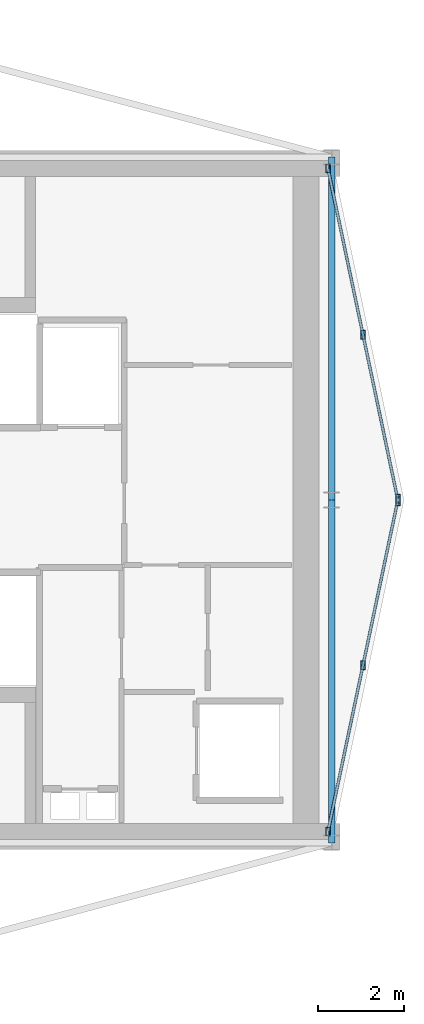
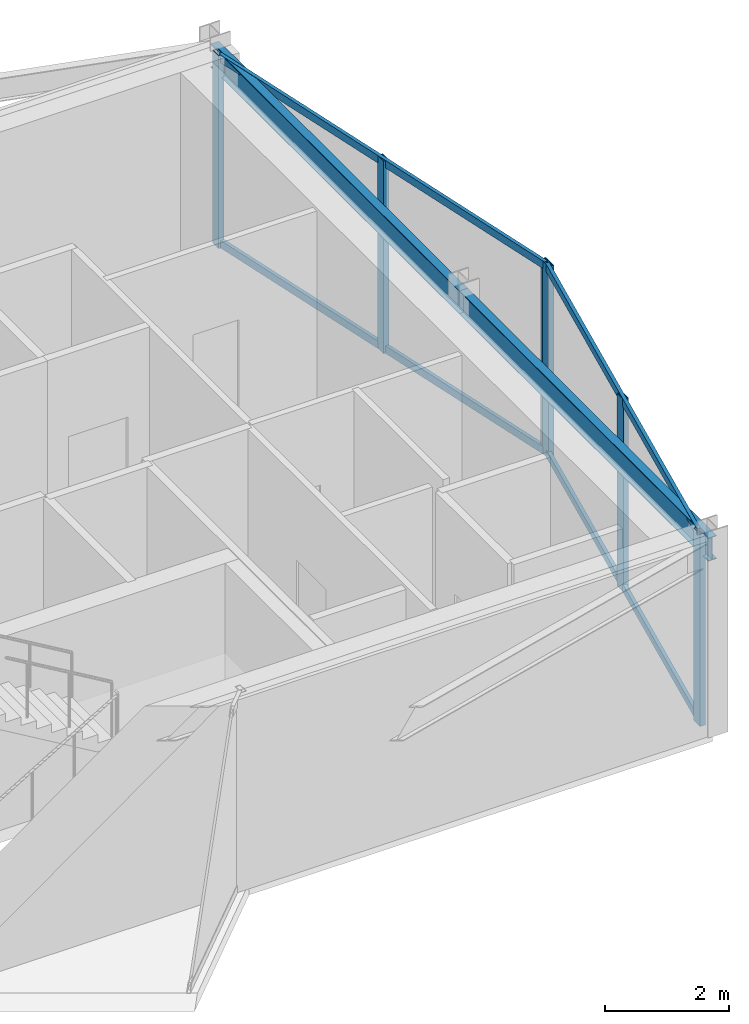
# One storey, part 7 of 13: 10 members, 2 beams, 2 elements without a shape of their own.
"""IFC4 building model written with IfcOpenShell, lengths in metres."""

from ifc_helpers import new_model, si_unit, direction, frame, origin, origin_2d, place, context, subcontext, project, spatial, hollow_rectangle, i_section, extrude, material, layer, layer_set, material_profile, profile_set, type_object, element, aggregate, save


model = new_model("IFC4")

# Units and contexts
model_context = context("Model", 3, precision=1e-05, world=origin(), true_north=direction((0.0, 1.0)))
body_context = subcontext(model_context, "Body", "Model", "MODEL_VIEW")
ifc_project = project(units=[si_unit("LENGTHUNIT", "METRE"), si_unit("AREAUNIT", "SQUARE_METRE"), si_unit("VOLUMEUNIT", "CUBIC_METRE"), si_unit("PLANEANGLEUNIT", "RADIAN"), si_unit("MASSUNIT", "GRAM", prefix="KILO")], contexts=[model_context])

# Site, building, storey
site_placement = place(None, origin())
site = spatial("IfcSite", under=ifc_project, at=site_placement, CompositionType="ELEMENT")
building_placement = place(site_placement, origin())
building = spatial("IfcBuilding", under=site, at=building_placement, Name="Veymaron Broadcast Tower", CompositionType="ELEMENT")
storey_placement = place(building_placement, frame((0.0, 0.0, 311.39990234375)))
storey = spatial("IfcBuildingStorey", under=building, at=storey_placement, Name="L73", CompositionType="ELEMENT", Elevation=311.39990234375)

# Beams
ifc_material_1 = material(Name="Structural steel ASTM A992 Gr 50", Category="steel")
ifc_material_profile_1 = material_profile(ifc_material_1, i_section(OverallWidth=0.154052734375, OverallDepth=0.458984375, WebThickness=0.009033203125, FlangeThickness=0.015380859375, at=origin_2d()), Name="W460X68")
ifc_profile_set_1 = profile_set([ifc_material_profile_1], Name="Structural steel ASTM A992 Gr 50")
beam_type = type_object("IfcBeamType", Name="BM-SP2", PredefinedType="SPANDREL", material=ifc_profile_set_1)
for number, where, z_axis, x_axis, name in (
    (1, (54.60009765625, 16.0, 3.550537109375), (0.0, 1.0, 0.0), (-1.0, 0.0, 0.0), "L73 primary structural floor girder"),
    (2, (54.60009765625, 24.0, 3.550537109375), (0.0, 1.0, 0.0), (-1.0, 0.0, 0.0), "L73 primary structural floor girder"),
):
    element("IfcBeam", number, at=place(storey_placement, frame(where, z_axis=z_axis, x_axis=x_axis)), inside=storey, type_object=beam_type, Name=name, PredefinedType="SPANDREL", context=body_context, shape_type="SweptSolid", body=[
        extrude(i_section(OverallWidth=0.154052734375, OverallDepth=0.458984375, WebThickness=0.009033203125, FlangeThickness=0.015380859375, at=origin_2d()), origin(), (0.0, 0.0, 1.0), 8.0),
    ])

# Curtain wall, members
ifc_material_2 = material(Name="Anodised aluminium AA 6063-T6 and laminated low-E dark glass", Category="aluminium")
ifc_layer = layer(ifc_material_2, 0.179931640625)
ifc_layer_set = layer_set([ifc_layer], Name="Anodised aluminium AA 6063-T6 and laminated low-E dark glass")
curtain_wall_type = type_object("IfcCurtainWallType", Name="CW-SYS-06", PredefinedType="NOTDEFINED", material=ifc_layer_set)
curtain_wall_1_placement = place(storey_placement, origin())
curtain_wall_1 = element("IfcCurtainWall", 3, at=curtain_wall_1_placement, inside=storey, type_object=curtain_wall_type, Name="L73 dark-glass curtain wall CW-L73-E2-1", PredefinedType="NOTDEFINED")
ifc_material_3 = material(Name="Anodised aluminium AA 6063-T6", Category="aluminium")
ifc_material_profile_2 = material_profile(ifc_material_3, hollow_rectangle(XDim=0.10009765625, YDim=0.199951171875, WallThickness=0.010009765625, at=origin_2d()), Name="RHS200X100X10")
ifc_profile_set_2 = profile_set([ifc_material_profile_2], Name="Anodised aluminium AA 6063-T6")
member_type_1 = type_object("IfcMemberType", Name="CW-MUL-01", PredefinedType="MULLION", material=ifc_profile_set_2)
member_1_placement = place(storey_placement, frame((54.51171875, 16.260498046875, 0.0), z_axis=(0.0, 0.0, 1.0), x_axis=(1.0, 0.0, 0.0)))
member_1 = element("IfcMember", 4, at=member_1_placement, type_object=member_type_1, Name="CW-L73-E2-1 mullion 0", PredefinedType="MULLION", context=body_context, shape_type="SweptSolid", body=[
    extrude(hollow_rectangle(XDim=0.10009765625, YDim=0.199951171875, WallThickness=0.010009765625, at=origin_2d()), origin(), (0.0, 0.0, 1.0), 3.780029296875),
])
member_2_placement = place(storey_placement, frame((55.33154296875, 20.14453125, 0.0), z_axis=(0.0, 0.0, 1.0), x_axis=(1.0, 0.0, 0.0)))
member_2 = element("IfcMember", 5, at=member_2_placement, type_object=member_type_1, Name="CW-L73-E2-1 mullion 1", PredefinedType="MULLION", context=body_context, shape_type="SweptSolid", body=[
    extrude(hollow_rectangle(XDim=0.10009765625, YDim=0.199951171875, WallThickness=0.010009765625, at=origin_2d()), origin(), (0.0, 0.0, 1.0), 3.780029296875),
])
member_3_placement = place(storey_placement, frame((56.1513671875, 24.02880859375, 0.0), z_axis=(0.0, 0.0, 1.0), x_axis=(1.0, 0.0, 0.0)))
member_3 = element("IfcMember", 6, at=member_3_placement, type_object=member_type_1, Name="CW-L73-E2-1 mullion 2", PredefinedType="MULLION", context=body_context, shape_type="SweptSolid", body=[
    extrude(hollow_rectangle(XDim=0.10009765625, YDim=0.199951171875, WallThickness=0.010009765625, at=origin_2d()), origin(), (0.0, 0.0, 1.0), 3.780029296875),
])

curtain_wall_2_placement = place(storey_placement, origin())
curtain_wall_2 = element("IfcCurtainWall", 7, at=curtain_wall_2_placement, inside=storey, type_object=curtain_wall_type, Name="L73 dark-glass curtain wall CW-L73-E3-1", PredefinedType="NOTDEFINED")
member_4_placement = place(storey_placement, frame((56.1513671875, 23.97119140625, 0.0), z_axis=(0.0, 0.0, 1.0), x_axis=(1.0, 0.0, 0.0)))
member_4 = element("IfcMember", 8, at=member_4_placement, type_object=member_type_1, Name="CW-L73-E3-1 mullion 0", PredefinedType="MULLION", context=body_context, shape_type="SweptSolid", body=[
    extrude(hollow_rectangle(XDim=0.10009765625, YDim=0.199951171875, WallThickness=0.010009765625, at=origin_2d()), origin(), (0.0, 0.0, 1.0), 3.780029296875),
])
member_5_placement = place(storey_placement, frame((55.33154296875, 27.85546875, 0.0), z_axis=(0.0, 0.0, 1.0), x_axis=(1.0, 0.0, 0.0)))
member_5 = element("IfcMember", 9, at=member_5_placement, type_object=member_type_1, Name="CW-L73-E3-1 mullion 1", PredefinedType="MULLION", context=body_context, shape_type="SweptSolid", body=[
    extrude(hollow_rectangle(XDim=0.10009765625, YDim=0.199951171875, WallThickness=0.010009765625, at=origin_2d()), origin(), (0.0, 0.0, 1.0), 3.780029296875),
])
member_6_placement = place(storey_placement, frame((54.51171875, 31.739501953125, 0.0), z_axis=(0.0, 0.0, 1.0), x_axis=(1.0, 0.0, 0.0)))
member_6 = element("IfcMember", 10, at=member_6_placement, type_object=member_type_1, Name="CW-L73-E3-1 mullion 2", PredefinedType="MULLION", context=body_context, shape_type="SweptSolid", body=[
    extrude(hollow_rectangle(XDim=0.10009765625, YDim=0.199951171875, WallThickness=0.010009765625, at=origin_2d()), origin(), (0.0, 0.0, 1.0), 3.780029296875),
])

# Member
ifc_material_profile_3 = material_profile(ifc_material_3, hollow_rectangle(XDim=0.06494140625, YDim=0.14990234375, WallThickness=0.00390625, at=origin_2d()), Name="AL150X65X4")
ifc_profile_set_3 = profile_set([ifc_material_profile_3], Name="Anodised aluminium AA 6063-T6")
member_type_2 = type_object("IfcMemberType", Name="CW-TRN-01", PredefinedType="USERDEFINED", material=ifc_profile_set_3)
member_7_placement = place(storey_placement, frame((54.522216796875, 16.309326171875, 0.070068359375), z_axis=(0.206501703547, 0.978446240951, 0.0), x_axis=(-0.978446240951, 0.206501703547, 0.0)))
member_7 = element("IfcMember", 11, at=member_7_placement, type_object=member_type_2, Name="CW-L73-E2-1 transom B", ObjectType="TRANSOM", PredefinedType="USERDEFINED", context=body_context, shape_type="SweptSolid", body=[
    extrude(hollow_rectangle(XDim=0.06494140625, YDim=0.14990234375, WallThickness=0.00390625, at=origin_2d()), origin(), (0.0, 0.0, 1.0), 7.839599609375),
])

member_8_placement = place(storey_placement, frame((54.522216796875, 16.309326171875, 3.710205078125), z_axis=(0.206501703547, 0.978446240951, 0.0), x_axis=(-0.978446240951, 0.206501703547, 0.0)))
member_8 = element("IfcMember", 12, at=member_8_placement, type_object=member_type_2, Name="CW-L73-E2-1 transom T", ObjectType="TRANSOM", PredefinedType="USERDEFINED", context=body_context, shape_type="SweptSolid", body=[
    extrude(hollow_rectangle(XDim=0.06494140625, YDim=0.14990234375, WallThickness=0.00390625, at=origin_2d()), origin(), (0.0, 0.0, 1.0), 7.839599609375),
])

aggregate(curtain_wall_1, [member_1, member_2, member_3, member_7, member_8])

member_9_placement = place(storey_placement, frame((56.14111328125, 24.02001953125, 0.070068359375), z_axis=(-0.206501703547, 0.978446240951, 0.0), x_axis=(-0.978446240951, -0.206501703547, 0.0)))
member_9 = element("IfcMember", 13, at=member_9_placement, type_object=member_type_2, Name="CW-L73-E3-1 transom B", ObjectType="TRANSOM", PredefinedType="USERDEFINED", context=body_context, shape_type="SweptSolid", body=[
    extrude(hollow_rectangle(XDim=0.06494140625, YDim=0.14990234375, WallThickness=0.00390625, at=origin_2d()), origin(), (0.0, 0.0, 1.0), 7.839599609375),
])

member_10_placement = place(storey_placement, frame((56.14111328125, 24.02001953125, 3.710205078125), z_axis=(-0.206501703547, 0.978446240951, 0.0), x_axis=(-0.978446240951, -0.206501703547, 0.0)))
member_10 = element("IfcMember", 14, at=member_10_placement, type_object=member_type_2, Name="CW-L73-E3-1 transom T", ObjectType="TRANSOM", PredefinedType="USERDEFINED", context=body_context, shape_type="SweptSolid", body=[
    extrude(hollow_rectangle(XDim=0.06494140625, YDim=0.14990234375, WallThickness=0.00390625, at=origin_2d()), origin(), (0.0, 0.0, 1.0), 7.839599609375),
])

aggregate(curtain_wall_2, [member_4, member_5, member_6, member_9, member_10])

save(model, "model.ifc")
